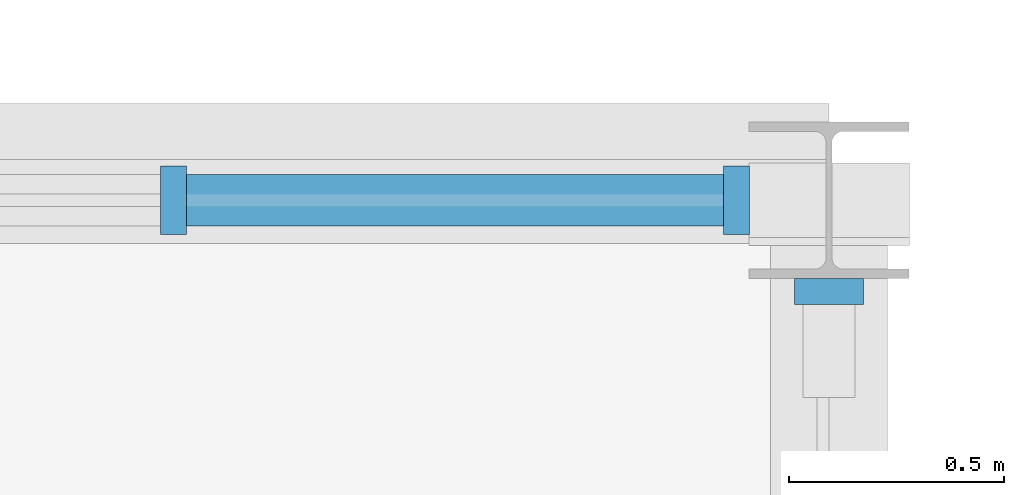
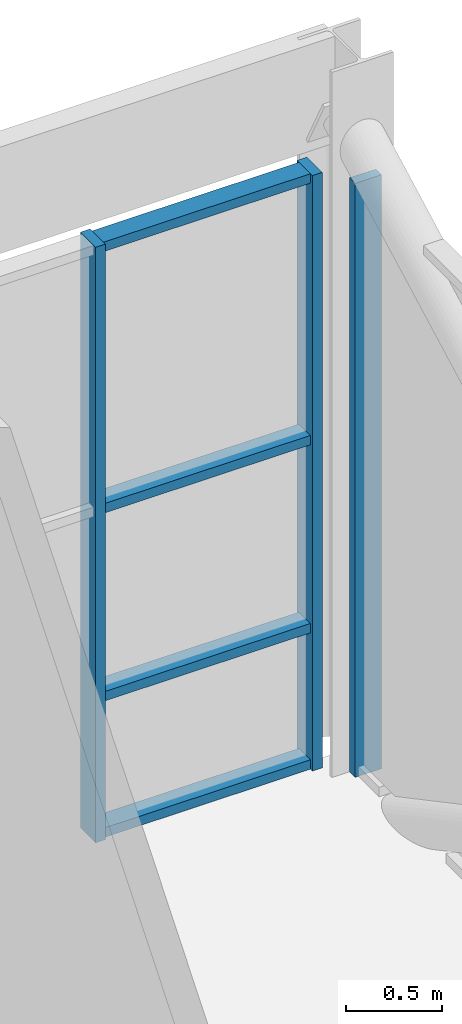
# One storey, part 9 of 22: 7 members, 2 elements without a shape of their own.
"""IFC4 building model written with IfcOpenShell, lengths in metres."""

from ifc_helpers import new_model, si_unit, direction, frame, origin, origin_2d, place, context, subcontext, project, spatial, rectangle, extrude, material, layer, layer_set, material_profile, profile_set, type_object, element, aggregate, save


model = new_model("IFC4")

# Units and contexts
model_context = context("Model", 3, precision=1e-05, world=origin(), true_north=direction((0.0, 1.0)))
body_context = subcontext(model_context, "Body", "Model", "MODEL_VIEW")
ifc_project = project(units=[si_unit("LENGTHUNIT", "METRE"), si_unit("AREAUNIT", "SQUARE_METRE"), si_unit("VOLUMEUNIT", "CUBIC_METRE"), si_unit("PLANEANGLEUNIT", "RADIAN"), si_unit("MASSUNIT", "GRAM", prefix="KILO")], contexts=[model_context])

# Site, building, storey
site_placement = place(None, origin())
site = spatial("IfcSite", under=ifc_project, at=site_placement, CompositionType="ELEMENT")
building_placement = place(site_placement, origin())
building = spatial("IfcBuilding", under=site, at=building_placement, Name="Ardhachandra Cancer Care Centre", CompositionType="ELEMENT")
storey_placement = place(building_placement, frame((0.0, 0.0, 18.0)))
storey = spatial("IfcBuildingStorey", under=building, at=storey_placement, Name="L04", CompositionType="ELEMENT", Elevation=18.0)

# Curtain wall, member
ifc_material_1 = material(Name="Aluminium extrusion", Category="aluminium")
ifc_layer = layer(ifc_material_1, 0.14990234375)
ifc_layer_set = layer_set([ifc_layer], Name="Aluminium extrusion")
curtain_wall_type = type_object("IfcCurtainWallType", Name="Curtain wall run", PredefinedType="NOTDEFINED", material=ifc_layer_set)
curtain_wall_1_placement = place(storey_placement, origin())
curtain_wall_1 = element("IfcCurtainWall", 1, at=curtain_wall_1_placement, inside=storey, type_object=curtain_wall_type, Name="Curtain wall L04 e/0145200_0096600", PredefinedType="NOTDEFINED")
ifc_material_2 = material(Name="Aluminium extrusion", Category="aluminium")
ifc_material_profile_1 = material_profile(ifc_material_2, rectangle(XDim=0.159912109375, YDim=0.06005859375, at=origin_2d()), Name="Curtain wall mullion 60 x 160")
ifc_profile_set_1 = profile_set([ifc_material_profile_1], Name="Aluminium extrusion")
member_type_1 = type_object("IfcMemberType", Name="Curtain wall mullion 60 x 160", PredefinedType="MULLION", material=ifc_profile_set_1)
member_1_placement = place(storey_placement, frame((145.199951171875, 104.7880859375, 0.0), z_axis=(0.0, 0.0, 1.0), x_axis=(-1.0, 0.0, 0.0)))
member_1 = element("IfcMember", 2, at=member_1_placement, type_object=member_type_1, Name="CW mullion 2", PredefinedType="MULLION", context=body_context, shape_type="SweptSolid", body=[
    extrude(rectangle(XDim=0.159912109375, YDim=0.06005859375, at=origin_2d()), origin(), (0.0, 0.0, 1.0), 3.7900390625),
])
aggregate(curtain_wall_1, [member_1])

# Curtain wall, members
curtain_wall_2_placement = place(storey_placement, origin())
curtain_wall_2 = element("IfcCurtainWall", 3, at=curtain_wall_2_placement, inside=storey, type_object=curtain_wall_type, Name="Curtain wall L04 n/0136800_0105000", PredefinedType="NOTDEFINED")
member_2_placement = place(storey_placement, frame((143.67626953125, 105.0, 0.0), z_axis=(0.0, 0.0, 1.0), x_axis=(0.0, 1.0, 0.0)))
member_2 = element("IfcMember", 4, at=member_2_placement, type_object=member_type_1, Name="CW mullion 6", PredefinedType="MULLION", context=body_context, shape_type="SweptSolid", body=[
    extrude(rectangle(XDim=0.159912109375, YDim=0.06005859375, at=origin_2d()), origin(), (0.0, 0.0, 1.0), 3.800048828125),
])
member_3_placement = place(storey_placement, frame((144.984619140625, 105.0, 0.0), z_axis=(0.0, 0.0, 1.0), x_axis=(0.0, 1.0, 0.0)))
member_3 = element("IfcMember", 5, at=member_3_placement, type_object=member_type_1, Name="CW mullion 7", PredefinedType="MULLION", context=body_context, shape_type="SweptSolid", body=[
    extrude(rectangle(XDim=0.159912109375, YDim=0.06005859375, at=origin_2d()), origin(), (0.0, 0.0, 1.0), 3.800048828125),
])
ifc_material_3 = material(Name="Aluminium extrusion", Category="aluminium")
ifc_material_profile_2 = material_profile(ifc_material_3, rectangle(XDim=0.1201171875, YDim=0.06005859375, at=origin_2d()), Name="Curtain wall transom 60 x 120")
ifc_profile_set_2 = profile_set([ifc_material_profile_2], Name="Aluminium extrusion")
member_type_2 = type_object("IfcMemberType", Name="Curtain wall transom 60 x 120", PredefinedType="USERDEFINED", material=ifc_profile_set_2)
member_4_placement = place(storey_placement, frame((143.706298828125, 105.0, 0.030029296875), z_axis=(1.0, 0.0, 0.0), x_axis=(0.0, 1.0, 0.0)))
member_4 = element("IfcMember", 6, at=member_4_placement, type_object=member_type_2, Name="CW transom 6.1", ObjectType="TRANSOM", PredefinedType="USERDEFINED", context=body_context, shape_type="SweptSolid", body=[
    extrude(rectangle(XDim=0.1201171875, YDim=0.06005859375, at=origin_2d()), origin(), (0.0, 0.0, 1.0), 1.248291015625),
])
member_5_placement = place(storey_placement, frame((143.706298828125, 105.0, 0.89990234375), z_axis=(1.0, 0.0, 0.0), x_axis=(0.0, 1.0, 0.0)))
member_5 = element("IfcMember", 7, at=member_5_placement, type_object=member_type_2, Name="CW transom 6.2", ObjectType="TRANSOM", PredefinedType="USERDEFINED", context=body_context, shape_type="SweptSolid", body=[
    extrude(rectangle(XDim=0.1201171875, YDim=0.06005859375, at=origin_2d()), origin(), (0.0, 0.0, 1.0), 1.248291015625),
])
member_6_placement = place(storey_placement, frame((143.706298828125, 105.0, 2.10009765625), z_axis=(1.0, 0.0, 0.0), x_axis=(0.0, 1.0, 0.0)))
member_6 = element("IfcMember", 8, at=member_6_placement, type_object=member_type_2, Name="CW transom 6.3", ObjectType="TRANSOM", PredefinedType="USERDEFINED", context=body_context, shape_type="SweptSolid", body=[
    extrude(rectangle(XDim=0.1201171875, YDim=0.06005859375, at=origin_2d()), origin(), (0.0, 0.0, 1.0), 1.248291015625),
])
member_7_placement = place(storey_placement, frame((143.706298828125, 105.0, 3.77001953125), z_axis=(1.0, 0.0, 0.0), x_axis=(0.0, 1.0, 0.0)))
member_7 = element("IfcMember", 9, at=member_7_placement, type_object=member_type_2, Name="CW transom 6.4", ObjectType="TRANSOM", PredefinedType="USERDEFINED", context=body_context, shape_type="SweptSolid", body=[
    extrude(rectangle(XDim=0.1201171875, YDim=0.06005859375, at=origin_2d()), origin(), (0.0, 0.0, 1.0), 1.248291015625),
])
aggregate(curtain_wall_2, [member_2, member_3, member_4, member_5, member_6, member_7])

save(model, "model.ifc")
